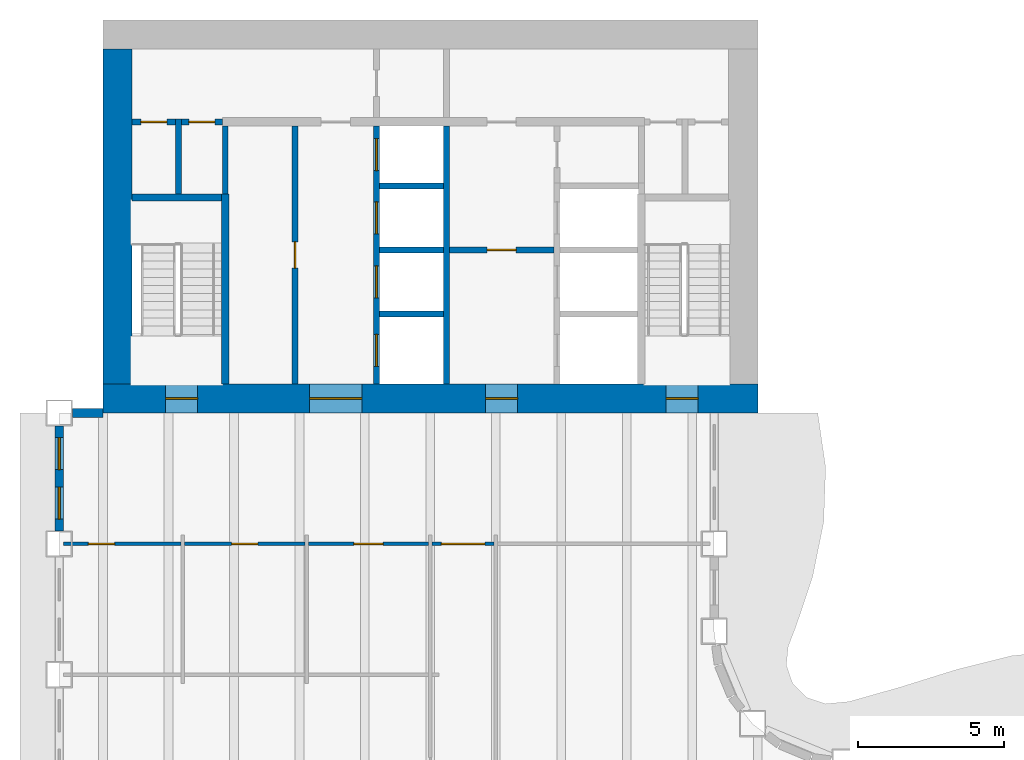
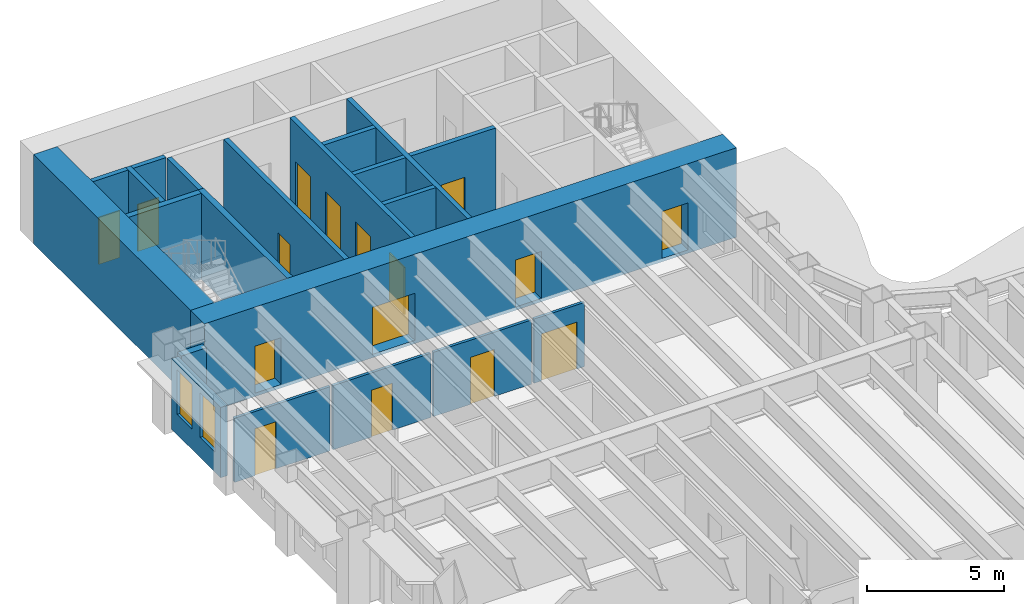
# One storey, part 8 of 16: 21 walls, 16 doors, 2 windows, 18 openings.
"""IFC4 building model written with IfcOpenShell, lengths in metres."""

from ifc_helpers import new_model, si_unit, direction, frame, frame_2d, origin, place, context, subcontext, project, spatial, rectangle, extrude, material, layer, layer_set, type_object, element, fill, save


model = new_model("IFC4")

# Units and contexts
model_context = context("Model", 3, precision=1e-05, world=origin(), true_north=direction((0.0, 1.0)))
body_context = subcontext(model_context, "Body", "Model", "MODEL_VIEW")
ifc_project = project(units=[si_unit("LENGTHUNIT", "METRE"), si_unit("AREAUNIT", "SQUARE_METRE"), si_unit("VOLUMEUNIT", "CUBIC_METRE"), si_unit("PLANEANGLEUNIT", "RADIAN"), si_unit("MASSUNIT", "GRAM", prefix="KILO")], contexts=[model_context])

# Site, building, storey
site_placement = place(None, origin())
site = spatial("IfcSite", under=ifc_project, at=site_placement, CompositionType="ELEMENT")
building_placement = place(site_placement, origin())
building = spatial("IfcBuilding", under=site, at=building_placement, Name="Sennacour Bend Tower", CompositionType="ELEMENT")
storey_placement = place(building_placement, frame((0.0, 0.0, 179.0)))
storey = spatial("IfcBuildingStorey", under=building, at=storey_placement, Name="L41", CompositionType="ELEMENT", Elevation=179.0)

# Wall, openings, doors
ifc_material_1 = material(Name="Concrete C60/75", Category="concrete")
ifc_layer_1 = layer(ifc_material_1, 1.0, Name="Concrete C60/75", Category="concrete")
ifc_layer_set_1 = layer_set([ifc_layer_1], Name="Concrete C60/75")
wall_type_1 = type_object("IfcWallType", Name="Core wall 1000 C60/75", PredefinedType="SHEAR", material=ifc_layer_set_1)
wall_1_placement = place(storey_placement, frame((0.0, 36.5, -0.14990234375), z_axis=(0.0, 0.0, 1.0), x_axis=(1.0, 0.0, 0.0)))
wall_1 = element("IfcWall", 1, at=wall_1_placement, inside=storey, type_object=wall_type_1, Name="Core B wall L41 S", PredefinedType="SHEAR", context=body_context, shape_type="SweptSolid", body=[
    extrude(rectangle(XDim=22.5, YDim=1.0, at=frame_2d((11.25, 0.0))), origin(), (0.0, 0.0, 1.0), 4.0),
])
opening_1_placement = place(wall_1_placement, frame((7.10009765625, 0.0, 0.14990234375)))
opening_1 = element("IfcOpeningElement", 2, at=opening_1_placement, cuts=wall_1, Name="Opening CD", PredefinedType="OPENING", context=body_context, shape_type="SweptSolid", body=[
    extrude(rectangle(XDim=1.800048828125, YDim=2.10009765625, at=frame_2d((0.89990234375, 1.050048828125))), frame((0.0, 0.510009765625, 0.0), z_axis=(0.0, -1.0, 0.0), x_axis=(1.0, 0.0, 0.0)), (0.0, 0.0, 1.0), 1.02001953125),
])
opening_2_placement = place(wall_1_placement, frame((13.14990234375, 0.0, 0.14990234375)))
opening_2 = element("IfcOpeningElement", 3, at=opening_2_placement, cuts=wall_1, Name="Opening FD", PredefinedType="OPENING", context=body_context, shape_type="SweptSolid", body=[
    extrude(rectangle(XDim=1.10009765625, YDim=2.10009765625, at=frame_2d((0.550048828125, 1.050048828125))), frame((0.0, 0.510009765625, 0.0), z_axis=(0.0, -1.0, 0.0), x_axis=(1.0, 0.0, 0.0)), (0.0, 0.0, 1.0), 1.02001953125),
])
opening_3_placement = place(wall_1_placement, frame((2.14990234375, 0.0, 0.14990234375)))
opening_3 = element("IfcOpeningElement", 4, at=opening_3_placement, cuts=wall_1, Name="Opening SD", PredefinedType="OPENING", context=body_context, shape_type="SweptSolid", body=[
    extrude(rectangle(XDim=1.10009765625, YDim=2.10009765625, at=frame_2d((0.550048828125, 1.050048828125))), frame((0.0, 0.510009765625, 0.0), z_axis=(0.0, -1.0, 0.0), x_axis=(1.0, 0.0, 0.0)), (0.0, 0.0, 1.0), 1.02001953125),
])
opening_4_placement = place(wall_1_placement, frame((19.35009765625, 0.0, 0.14990234375)))
opening_4 = element("IfcOpeningElement", 5, at=opening_4_placement, cuts=wall_1, Name="Opening SD", PredefinedType="OPENING", context=body_context, shape_type="SweptSolid", body=[
    extrude(rectangle(XDim=1.10009765625, YDim=2.10009765625, at=frame_2d((0.550048828125, 1.050048828125))), frame((0.0, 0.510009765625, 0.0), z_axis=(0.0, -1.0, 0.0), x_axis=(1.0, 0.0, 0.0)), (0.0, 0.0, 1.0), 1.02001953125),
])
ifc_material_2 = material(Name="Painted steel", Category="steel")
door_type_1 = type_object("IfcDoorType", Name="DR-FFL-1100", OperationType="NOTDEFINED", PredefinedType="DOOR", material=ifc_material_2)
door_1_placement = place(opening_2_placement, origin())
door_1 = element("IfcDoor", 6, at=door_1_placement, inside=storey, type_object=door_type_1, Name="Door", OperationType="SINGLE_SWING_RIGHT", OverallHeight=2.10009765625, OverallWidth=1.10009765625, PredefinedType="DOOR", context=body_context, shape_type="SweptSolid", body=[
    extrude(rectangle(XDim=1.10009765625, YDim=2.10009765625, at=frame_2d((0.550048828125, 1.050048828125))), frame((0.0, 0.02490234375, 0.0), z_axis=(0.0, -1.0, 0.0), x_axis=(1.0, 0.0, 0.0)), (0.0, 0.0, 1.0), 0.050048828125),
])
fill(opening_2, door_1)
door_type_2 = type_object("IfcDoorType", Name="DR-LOBBY-1800", OperationType="NOTDEFINED", PredefinedType="DOOR", material=ifc_material_2)
door_2_placement = place(opening_1_placement, origin())
door_2 = element("IfcDoor", 7, at=door_2_placement, inside=storey, type_object=door_type_2, Name="Door", OperationType="DOUBLE_DOOR_SINGLE_SWING", OverallHeight=2.10009765625, OverallWidth=1.800048828125, PredefinedType="DOOR", context=body_context, shape_type="SweptSolid", body=[
    extrude(rectangle(XDim=1.800048828125, YDim=2.10009765625, at=frame_2d((0.89990234375, 1.050048828125))), frame((0.0, 0.02490234375, 0.0), z_axis=(0.0, -1.0, 0.0), x_axis=(1.0, 0.0, 0.0)), (0.0, 0.0, 1.0), 0.050048828125),
])
fill(opening_1, door_2)
door_type_3 = type_object("IfcDoorType", Name="DR-STAIR-1100", OperationType="NOTDEFINED", PredefinedType="DOOR", material=ifc_material_2)
door_3_placement = place(opening_3_placement, origin())
door_3 = element("IfcDoor", 8, at=door_3_placement, inside=storey, type_object=door_type_3, Name="Door", OperationType="SINGLE_SWING_LEFT", OverallHeight=2.10009765625, OverallWidth=1.10009765625, PredefinedType="DOOR", context=body_context, shape_type="SweptSolid", body=[
    extrude(rectangle(XDim=1.10009765625, YDim=2.10009765625, at=frame_2d((0.550048828125, 1.050048828125))), frame((0.0, 0.02490234375, 0.0), z_axis=(0.0, -1.0, 0.0), x_axis=(1.0, 0.0, 0.0)), (0.0, 0.0, 1.0), 0.050048828125),
])
fill(opening_3, door_3)
door_4_placement = place(opening_4_placement, origin())
door_4 = element("IfcDoor", 9, at=door_4_placement, inside=storey, type_object=door_type_3, Name="Door", OperationType="SINGLE_SWING_RIGHT", OverallHeight=2.10009765625, OverallWidth=1.10009765625, PredefinedType="DOOR", context=body_context, shape_type="SweptSolid", body=[
    extrude(rectangle(XDim=1.10009765625, YDim=2.10009765625, at=frame_2d((0.550048828125, 1.050048828125))), frame((0.0, 0.02490234375, 0.0), z_axis=(0.0, -1.0, 0.0), x_axis=(1.0, 0.0, 0.0)), (0.0, 0.0, 1.0), 0.050048828125),
])
fill(opening_4, door_4)

# Wall
wall_2_placement = place(storey_placement, frame((0.5, 37.0, -0.14990234375), z_axis=(0.0, 0.0, 1.0), x_axis=(0.0, 1.0, 0.0)))
element("IfcWall", 10, at=wall_2_placement, inside=storey, type_object=wall_type_1, Name="Core B wall L41 W", PredefinedType="SHEAR", context=body_context, shape_type="SweptSolid", body=[
    extrude(rectangle(XDim=11.5, YDim=1.0, at=frame_2d((5.75, 0.0))), origin(), (0.0, 0.0, 1.0), 4.0),
])

# Wall, opening, door
ifc_material_3 = material(Name="Plasterboard partition on steel studs", Category="steel")
ifc_layer_2 = layer(ifc_material_3, 0.1201171875, Name="Plasterboard partition on steel studs", Category="steel")
ifc_layer_set_2 = layer_set([ifc_layer_2], Name="Plasterboard partition on steel studs")
wall_type_2 = type_object("IfcWallType", Name="Partition 120", PredefinedType="PARTITIONING", material=ifc_layer_set_2)
wall_3_placement = place(storey_placement, frame((-1.35009765625, 31.5, 0.0), z_axis=(0.0, 0.0, 1.0), x_axis=(1.0, 0.0, 0.0)))
wall_3 = element("IfcWall", 11, at=wall_3_placement, inside=storey, type_object=wall_type_2, Name="P-L41-W085aa", PredefinedType="PARTITIONING", context=body_context, shape_type="SweptSolid", body=[
    extrude(rectangle(XDim=4.0400390625, YDim=0.1201171875, at=frame_2d((2.02001953125, 0.0))), origin(), (0.0, 0.0, 1.0), 2.8701171875),
])
opening_5_placement = place(wall_3_placement, frame((0.85009765625, 0.0, 0.0)))
opening_5 = element("IfcOpeningElement", 12, at=opening_5_placement, cuts=wall_3, Name="Opening WD", PredefinedType="OPENING", context=body_context, shape_type="SweptSolid", body=[
    extrude(rectangle(XDim=0.89990234375, YDim=2.10009765625, at=frame_2d((0.449951171875, 1.050048828125))), frame((0.0, 0.070068359375, 0.0), z_axis=(0.0, -1.0, 0.0), x_axis=(1.0, 0.0, 0.0)), (0.0, 0.0, 1.0), 0.14013671875),
])
ifc_material_4 = material(Name="Timber", Category="wood")
door_type_4 = type_object("IfcDoorType", Name="DR-WC-900", OperationType="NOTDEFINED", PredefinedType="DOOR", material=ifc_material_4)
door_5_placement = place(opening_5_placement, origin())
door_5 = element("IfcDoor", 13, at=door_5_placement, inside=storey, type_object=door_type_4, Name="Door", OperationType="SINGLE_SWING_LEFT", OverallHeight=2.10009765625, OverallWidth=0.89990234375, PredefinedType="DOOR", context=body_context, shape_type="SweptSolid", body=[
    extrude(rectangle(XDim=0.89990234375, YDim=2.10009765625, at=frame_2d((0.449951171875, 1.050048828125))), frame((0.0, 0.02490234375, 0.0), z_axis=(0.0, -1.0, 0.0), x_axis=(1.0, 0.0, 0.0)), (0.0, 0.0, 1.0), 0.050048828125),
])
fill(opening_5, door_5)

wall_4_placement = place(storey_placement, frame((2.81005859375, 31.5, 0.0), z_axis=(0.0, 0.0, 1.0), x_axis=(1.0, 0.0, 0.0)))
wall_4 = element("IfcWall", 14, at=wall_4_placement, inside=storey, type_object=wall_type_2, Name="P-L41-W085ab", PredefinedType="PARTITIONING", context=body_context, shape_type="SweptSolid", body=[
    extrude(rectangle(XDim=4.1298828125, YDim=0.1201171875, at=frame_2d((2.06494140625, 0.0))), origin(), (0.0, 0.0, 1.0), 2.8701171875),
])
opening_6_placement = place(wall_4_placement, frame((1.614990234375, 0.0, 0.0)))
opening_6 = element("IfcOpeningElement", 15, at=opening_6_placement, cuts=wall_4, Name="Opening WD", PredefinedType="OPENING", context=body_context, shape_type="SweptSolid", body=[
    extrude(rectangle(XDim=0.89990234375, YDim=2.10009765625, at=frame_2d((0.449951171875, 1.050048828125))), frame((0.0, 0.070068359375, 0.0), z_axis=(0.0, -1.0, 0.0), x_axis=(1.0, 0.0, 0.0)), (0.0, 0.0, 1.0), 0.14013671875),
])
door_6_placement = place(opening_6_placement, origin())
door_6 = element("IfcDoor", 16, at=door_6_placement, inside=storey, type_object=door_type_4, Name="Door", OperationType="SINGLE_SWING_LEFT", OverallHeight=2.10009765625, OverallWidth=0.89990234375, PredefinedType="DOOR", context=body_context, shape_type="SweptSolid", body=[
    extrude(rectangle(XDim=0.89990234375, YDim=2.10009765625, at=frame_2d((0.449951171875, 1.050048828125))), frame((0.0, 0.02490234375, 0.0), z_axis=(0.0, -1.0, 0.0), x_axis=(1.0, 0.0, 0.0)), (0.0, 0.0, 1.0), 0.050048828125),
])
fill(opening_6, door_6)

wall_5_placement = place(storey_placement, frame((7.06005859375, 31.5, 0.0), z_axis=(0.0, 0.0, 1.0), x_axis=(1.0, 0.0, 0.0)))
wall_5 = element("IfcWall", 17, at=wall_5_placement, inside=storey, type_object=wall_type_2, Name="P-L41-W085ac", PredefinedType="PARTITIONING", context=body_context, shape_type="SweptSolid", body=[
    extrude(rectangle(XDim=4.1298828125, YDim=0.1201171875, at=frame_2d((2.06494140625, 0.0))), origin(), (0.0, 0.0, 1.0), 2.8701171875),
])
opening_7_placement = place(wall_5_placement, frame((1.56494140625, 0.0, 0.0)))
opening_7 = element("IfcOpeningElement", 18, at=opening_7_placement, cuts=wall_5, Name="Opening AD", PredefinedType="OPENING", context=body_context, shape_type="SweptSolid", body=[
    extrude(rectangle(XDim=1.0, YDim=2.10009765625, at=frame_2d((0.5, 1.050048828125))), frame((0.0, 0.070068359375, 0.0), z_axis=(0.0, -1.0, 0.0), x_axis=(1.0, 0.0, 0.0)), (0.0, 0.0, 1.0), 0.14013671875),
])
door_type_5 = type_object("IfcDoorType", Name="DR-ACC-WC-1000", OperationType="NOTDEFINED", PredefinedType="DOOR", material=ifc_material_4)
door_7_placement = place(opening_7_placement, origin())
door_7 = element("IfcDoor", 19, at=door_7_placement, inside=storey, type_object=door_type_5, Name="Door", OperationType="SINGLE_SWING_LEFT", OverallHeight=2.10009765625, OverallWidth=1.0, PredefinedType="DOOR", context=body_context, shape_type="SweptSolid", body=[
    extrude(rectangle(XDim=1.0, YDim=2.10009765625, at=frame_2d((0.5, 1.050048828125))), frame((0.0, 0.02490234375, 0.0), z_axis=(0.0, -1.0, 0.0), x_axis=(1.0, 0.0, 0.0)), (0.0, 0.0, 1.0), 0.050048828125),
])
fill(opening_7, door_7)

ifc_layer_3 = layer(ifc_material_3, 0.1201171875, Name="Plasterboard partition on steel studs", Category="steel")
ifc_layer_set_3 = layer_set([ifc_layer_3], Name="Plasterboard partition on steel studs")
wall_type_3 = type_object("IfcWallType", Name="Partition 120 EI 30", PredefinedType="PARTITIONING", material=ifc_layer_set_3)
wall_6_placement = place(storey_placement, frame((11.31005859375, 31.5, 0.0), z_axis=(0.0, 0.0, 1.0), x_axis=(1.0, 0.0, 0.0)))
wall_6 = element("IfcWall", 20, at=wall_6_placement, inside=storey, type_object=wall_type_3, Name="P-L41-W085ad", PredefinedType="PARTITIONING", context=body_context, shape_type="SweptSolid", body=[
    extrude(rectangle(XDim=2.1298828125, YDim=0.1201171875, at=frame_2d((1.06494140625, 0.0))), origin(), (0.0, 0.0, 1.0), 2.8701171875),
])
opening_8_placement = place(wall_6_placement, frame((0.31494140625, 0.0, 0.0)))
opening_8 = element("IfcOpeningElement", 21, at=opening_8_placement, cuts=wall_6, Name="Opening KD", PredefinedType="OPENING", context=body_context, shape_type="SweptSolid", body=[
    extrude(rectangle(XDim=1.5, YDim=2.10009765625, at=frame_2d((0.75, 1.050048828125))), frame((0.0, 0.070068359375, 0.0), z_axis=(0.0, -1.0, 0.0), x_axis=(1.0, 0.0, 0.0)), (0.0, 0.0, 1.0), 0.14013671875),
])
door_type_6 = type_object("IfcDoorType", Name="DR-CORRIDOR-1500", OperationType="NOTDEFINED", PredefinedType="DOOR", material=ifc_material_2)
door_8_placement = place(opening_8_placement, origin())
door_8 = element("IfcDoor", 22, at=door_8_placement, inside=storey, type_object=door_type_6, Name="Door", OperationType="SINGLE_SWING_LEFT", OverallHeight=2.10009765625, OverallWidth=1.5, PredefinedType="DOOR", context=body_context, shape_type="SweptSolid", body=[
    extrude(rectangle(XDim=1.5, YDim=2.10009765625, at=frame_2d((0.75, 1.050048828125))), frame((0.0, 0.02490234375, 0.0), z_axis=(0.0, -1.0, 0.0), x_axis=(1.0, 0.0, 0.0)), (0.0, 0.0, 1.0), 0.050048828125),
])
fill(opening_8, door_8)

# Walls
ifc_material_5 = material(Name="Fire-rated plasterboard partition on steel studs", Category="steel")
ifc_layer_4 = layer(ifc_material_5, 0.199951171875, Name="Fire-rated plasterboard partition on steel studs", Category="steel")
ifc_layer_set_4 = layer_set([ifc_layer_4], Name="Fire-rated plasterboard partition on steel studs")
wall_type_4 = type_object("IfcWallType", Name="Rated partition 200", PredefinedType="PARTITIONING", material=ifc_layer_set_4)
wall_7_placement = place(storey_placement, frame((2.60009765625, 43.52490234375, 0.0), z_axis=(0.0, 0.0, 1.0), x_axis=(0.0, 1.0, 0.0)))
element("IfcWall", 23, at=wall_7_placement, inside=storey, type_object=wall_type_4, Name="P-L41-W004", PredefinedType="PARTITIONING", context=body_context, shape_type="SweptSolid", body=[
    extrude(rectangle(XDim=2.5751953125, YDim=0.199951171875, at=frame_2d((1.28759765625, 0.0))), origin(), (0.0, 0.0, 1.0), 3.85009765625),
])
wall_8_placement = place(storey_placement, frame((4.199951171875, 43.52490234375, 0.0), z_axis=(0.0, 0.0, 1.0), x_axis=(0.0, 1.0, 0.0)))
element("IfcWall", 24, at=wall_8_placement, inside=storey, type_object=wall_type_4, Name="P-L41-W007", PredefinedType="PARTITIONING", context=body_context, shape_type="SweptSolid", body=[
    extrude(rectangle(XDim=2.3251953125, YDim=0.199951171875, at=frame_2d((1.16259765625, 0.0))), origin(), (0.0, 0.0, 1.0), 3.85009765625),
])

# Wall, opening, door
wall_9_placement = place(storey_placement, frame((6.60009765625, 37.0, 0.0), z_axis=(0.0, 0.0, 1.0), x_axis=(0.0, 1.0, 0.0)))
wall_9 = element("IfcWall", 25, at=wall_9_placement, inside=storey, type_object=wall_type_4, Name="P-L41-W008", PredefinedType="PARTITIONING", context=body_context, shape_type="SweptSolid", body=[
    extrude(rectangle(XDim=8.85009765625, YDim=0.199951171875, at=frame_2d((4.425048828125, 0.0))), origin(), (0.0, 0.0, 1.0), 3.85009765625),
])
opening_9_placement = place(wall_9_placement, frame((3.97509765625, 0.0, 0.0)))
opening_9 = element("IfcOpeningElement", 26, at=opening_9_placement, cuts=wall_9, Name="Opening SV", PredefinedType="OPENING", context=body_context, shape_type="SweptSolid", body=[
    extrude(rectangle(XDim=0.89990234375, YDim=2.10009765625, at=frame_2d((0.449951171875, 1.050048828125))), frame((0.0, 0.10986328125, 0.0), z_axis=(0.0, -1.0, 0.0), x_axis=(1.0, 0.0, 0.0)), (0.0, 0.0, 1.0), 0.219970703125),
])
door_type_7 = type_object("IfcDoorType", Name="DR-SERVICE-900", OperationType="NOTDEFINED", PredefinedType="DOOR", material=ifc_material_2)
door_9_placement = place(opening_9_placement, origin())
door_9 = element("IfcDoor", 27, at=door_9_placement, inside=storey, type_object=door_type_7, Name="Door", OperationType="SINGLE_SWING_LEFT", OverallHeight=2.10009765625, OverallWidth=0.89990234375, PredefinedType="DOOR", context=body_context, shape_type="SweptSolid", body=[
    extrude(rectangle(XDim=0.89990234375, YDim=2.10009765625, at=frame_2d((0.449951171875, 1.050048828125))), frame((0.0, 0.02490234375, 0.0), z_axis=(0.0, -1.0, 0.0), x_axis=(1.0, 0.0, 0.0)), (0.0, 0.0, 1.0), 0.050048828125),
])
fill(opening_9, door_9)

wall_10_placement = place(storey_placement, frame((1.0, 46.0, 0.0), z_axis=(0.0, 0.0, 1.0), x_axis=(1.0, 0.0, 0.0)))
wall_10 = element("IfcWall", 28, at=wall_10_placement, inside=storey, type_object=wall_type_4, Name="P-L41-W096a", PredefinedType="PARTITIONING", context=body_context, shape_type="SweptSolid", body=[
    extrude(rectangle(XDim=1.5, YDim=0.199951171875, at=frame_2d((0.75, 0.0))), origin(), (0.0, 0.0, 1.0), 3.85009765625),
])
opening_10_placement = place(wall_10_placement, frame((0.300048828125, 0.0, 0.0)))
opening_10 = element("IfcOpeningElement", 29, at=opening_10_placement, cuts=wall_10, Name="Opening SV", PredefinedType="OPENING", context=body_context, shape_type="SweptSolid", body=[
    extrude(rectangle(XDim=0.89990234375, YDim=2.10009765625, at=frame_2d((0.449951171875, 1.050048828125))), frame((0.0, 0.10986328125, 0.0), z_axis=(0.0, -1.0, 0.0), x_axis=(1.0, 0.0, 0.0)), (0.0, 0.0, 1.0), 0.219970703125),
])
door_10_placement = place(opening_10_placement, origin())
door_10 = element("IfcDoor", 30, at=door_10_placement, inside=storey, type_object=door_type_7, Name="Door", OperationType="SINGLE_SWING_LEFT", OverallHeight=2.10009765625, OverallWidth=0.89990234375, PredefinedType="DOOR", context=body_context, shape_type="SweptSolid", body=[
    extrude(rectangle(XDim=0.89990234375, YDim=2.10009765625, at=frame_2d((0.449951171875, 1.050048828125))), frame((0.0, 0.02490234375, 0.0), z_axis=(0.0, -1.0, 0.0), x_axis=(1.0, 0.0, 0.0)), (0.0, 0.0, 1.0), 0.050048828125),
])
fill(opening_10, door_10)

wall_11_placement = place(storey_placement, frame((2.699951171875, 46.0, 0.0), z_axis=(0.0, 0.0, 1.0), x_axis=(1.0, 0.0, 0.0)))
wall_11 = element("IfcWall", 31, at=wall_11_placement, inside=storey, type_object=wall_type_4, Name="P-L41-W096b", PredefinedType="PARTITIONING", context=body_context, shape_type="SweptSolid", body=[
    extrude(rectangle(XDim=1.400146484375, YDim=0.199951171875, at=frame_2d((0.7001953125, 0.0))), origin(), (0.0, 0.0, 1.0), 3.85009765625),
])
opening_11_placement = place(wall_11_placement, frame((0.25, 0.0, 0.0)))
opening_11 = element("IfcOpeningElement", 32, at=opening_11_placement, cuts=wall_11, Name="Opening WD", PredefinedType="OPENING", context=body_context, shape_type="SweptSolid", body=[
    extrude(rectangle(XDim=0.89990234375, YDim=2.10009765625, at=frame_2d((0.449951171875, 1.050048828125))), frame((0.0, 0.10986328125, 0.0), z_axis=(0.0, -1.0, 0.0), x_axis=(1.0, 0.0, 0.0)), (0.0, 0.0, 1.0), 0.219970703125),
])
door_11_placement = place(opening_11_placement, origin())
door_11 = element("IfcDoor", 33, at=door_11_placement, inside=storey, type_object=door_type_4, Name="Door", OperationType="SINGLE_SWING_LEFT", OverallHeight=2.10009765625, OverallWidth=0.89990234375, PredefinedType="DOOR", context=body_context, shape_type="SweptSolid", body=[
    extrude(rectangle(XDim=0.89990234375, YDim=2.10009765625, at=frame_2d((0.449951171875, 1.050048828125))), frame((0.0, 0.02490234375, 0.0), z_axis=(0.0, -1.0, 0.0), x_axis=(1.0, 0.0, 0.0)), (0.0, 0.0, 1.0), 0.050048828125),
])
fill(opening_11, door_11)

ifc_layer_5 = layer(ifc_material_5, 0.199951171875, Name="Fire-rated plasterboard partition on steel studs", Category="steel")
ifc_layer_set_5 = layer_set([ifc_layer_5], Name="Fire-rated plasterboard partition on steel studs")
wall_type_5 = type_object("IfcWallType", Name="Rated partition 200 EI 90", PredefinedType="PARTITIONING", material=ifc_layer_set_5)
wall_12_placement = place(storey_placement, frame((11.89990234375, 41.60009765625, 0.0), z_axis=(0.0, 0.0, 1.0), x_axis=(1.0, 0.0, 0.0)))
wall_12 = element("IfcWall", 34, at=wall_12_placement, inside=storey, type_object=wall_type_5, Name="P-L41-W090", PredefinedType="PARTITIONING", context=body_context, shape_type="SweptSolid", body=[
    extrude(rectangle(XDim=3.60009765625, YDim=0.199951171875, at=frame_2d((1.800048828125, 0.0))), origin(), (0.0, 0.0, 1.0), 3.85009765625),
])
opening_12_placement = place(wall_12_placement, frame((1.300048828125, 0.0, 0.0)))
opening_12 = element("IfcOpeningElement", 35, at=opening_12_placement, cuts=wall_12, Name="Opening FD2", PredefinedType="OPENING", context=body_context, shape_type="SweptSolid", body=[
    extrude(rectangle(XDim=1.0, YDim=2.10009765625, at=frame_2d((0.5, 1.050048828125))), frame((0.0, 0.10986328125, 0.0), z_axis=(0.0, -1.0, 0.0), x_axis=(1.0, 0.0, 0.0)), (0.0, 0.0, 1.0), 0.219970703125),
])
door_type_8 = type_object("IfcDoorType", Name="DR-FFL-1000", OperationType="NOTDEFINED", PredefinedType="DOOR", material=ifc_material_2)
door_12_placement = place(opening_12_placement, origin())
door_12 = element("IfcDoor", 36, at=door_12_placement, inside=storey, type_object=door_type_8, Name="Door", OperationType="SINGLE_SWING_RIGHT", OverallHeight=2.10009765625, OverallWidth=1.0, PredefinedType="DOOR", context=body_context, shape_type="SweptSolid", body=[
    extrude(rectangle(XDim=1.0, YDim=2.10009765625, at=frame_2d((0.5, 1.050048828125))), frame((0.0, 0.02490234375, 0.0), z_axis=(0.0, -1.0, 0.0), x_axis=(1.0, 0.0, 0.0)), (0.0, 0.0, 1.0), 0.050048828125),
])
fill(opening_12, door_12)

# Wall
ifc_material_6 = material(Name="Warm limestone cladding", Category="masonry")
ifc_layer_6 = layer(ifc_material_6, 0.050048828125, Name="Warm limestone cladding", Category="masonry")
ifc_material_7 = material(Name="Precast concrete C40/50", Category="concrete")
ifc_layer_7 = layer(ifc_material_7, 0.25, Name="Precast concrete C40/50", Category="concrete")
ifc_layer_set_6 = layer_set([ifc_layer_6, ifc_layer_7], Name="Precast concrete C40/50 with limestone cladding")
wall_type_6 = type_object("IfcWallType", Name="STONE-CLAD PRECAST SPANDREL 300", PredefinedType="STANDARD", material=ifc_layer_set_6)
wall_13_placement = place(storey_placement, frame((0.0, 36.0, 0.0), z_axis=(0.0, 0.0, 1.0), x_axis=(-1.0, 0.0, 0.0)))
element("IfcWall", 37, at=wall_13_placement, inside=storey, type_object=wall_type_6, Name="Stone spandrel and pier wall L41 20.00", PredefinedType="STANDARD", context=body_context, shape_type="SweptSolid", body=[
    extrude(rectangle(XDim=1.050048828125, YDim=0.300048828125, at=frame_2d((0.52490234375, 0.0))), origin(), (0.0, 0.0, 1.0), 2.8701171875),
])

# Wall, openings, windows
wall_14_placement = place(storey_placement, frame((-1.5, 35.550048828125, 0.0), z_axis=(0.0, 0.0, 1.0), x_axis=(0.0, -1.0, 0.0)))
wall_14 = element("IfcWall", 38, at=wall_14_placement, inside=storey, type_object=wall_type_6, Name="Stone spandrel and pier wall L41 21.00", PredefinedType="STANDARD", context=body_context, shape_type="SweptSolid", body=[
    extrude(rectangle(XDim=3.60009765625, YDim=0.300048828125, at=frame_2d((1.800048828125, 0.0))), origin(), (0.0, 0.0, 1.0), 3.14892578125),
])
opening_13_placement = place(wall_14_placement, frame((0.39990234375, 0.0, 0.89990234375)))
opening_13 = element("IfcOpeningElement", 39, at=opening_13_placement, cuts=wall_14, Name="Opening W19", PredefinedType="OPENING", context=body_context, shape_type="SweptSolid", body=[
    extrude(rectangle(XDim=1.10009765625, YDim=2.0, at=frame_2d((0.550048828125, 1.0))), frame((0.0, 0.16015625, 0.0), z_axis=(0.0, -1.0, 0.0), x_axis=(1.0, 0.0, 0.0)), (0.0, 0.0, 1.0), 0.320068359375),
])
opening_14_placement = place(wall_14_placement, frame((2.10009765625, 0.0, 0.89990234375)))
opening_14 = element("IfcOpeningElement", 40, at=opening_14_placement, cuts=wall_14, Name="Opening W19", PredefinedType="OPENING", context=body_context, shape_type="SweptSolid", body=[
    extrude(rectangle(XDim=1.10009765625, YDim=2.0, at=frame_2d((0.550048828125, 1.0))), frame((0.0, 0.16015625, 0.0), z_axis=(0.0, -1.0, 0.0), x_axis=(1.0, 0.0, 0.0)), (0.0, 0.0, 1.0), 0.320068359375),
])
ifc_material_8 = material(Name="Clear low-emissivity glass", Category="glass")
window_type = type_object("IfcWindowType", Name="WIN-RIBBON-1100x2000", PartitioningType="SINGLE_PANEL", PredefinedType="WINDOW", material=ifc_material_8)
window_1_placement = place(opening_13_placement, origin())
window_1 = element("IfcWindow", 41, at=window_1_placement, inside=storey, type_object=window_type, Name="Ribbon window L41 21.00.0", OverallHeight=2.0, OverallWidth=1.10009765625, PartitioningType="SINGLE_PANEL", PredefinedType="WINDOW", context=body_context, shape_type="SweptSolid", body=[
    extrude(rectangle(XDim=1.10009765625, YDim=2.0, at=frame_2d((0.550048828125, 1.0))), frame((0.0, 0.030029296875, 0.0), z_axis=(0.0, -1.0, 0.0), x_axis=(1.0, 0.0, 0.0)), (0.0, 0.0, 1.0), 0.06005859375),
])
fill(opening_13, window_1)
window_2_placement = place(opening_14_placement, origin())
window_2 = element("IfcWindow", 42, at=window_2_placement, inside=storey, type_object=window_type, Name="Ribbon window L41 21.00.1", OverallHeight=2.0, OverallWidth=1.10009765625, PartitioningType="SINGLE_PANEL", PredefinedType="WINDOW", context=body_context, shape_type="SweptSolid", body=[
    extrude(rectangle(XDim=1.10009765625, YDim=2.0, at=frame_2d((0.550048828125, 1.0))), frame((0.0, 0.030029296875, 0.0), z_axis=(0.0, -1.0, 0.0), x_axis=(1.0, 0.0, 0.0)), (0.0, 0.0, 1.0), 0.06005859375),
])
fill(opening_14, window_2)

# Wall, openings, doors
ifc_material_9 = material(Name="Concrete C50/60", Category="concrete")
ifc_layer_8 = layer(ifc_material_9, 0.199951171875, Name="Concrete C50/60", Category="concrete")
ifc_layer_set_7 = layer_set([ifc_layer_8], Name="Concrete C50/60")
wall_type_7 = type_object("IfcWallType", Name="Shaft wall 200", PredefinedType="SOLIDWALL", material=ifc_layer_set_7)
wall_15_placement = place(storey_placement, frame((9.39990234375, 37.0, 0.0), z_axis=(0.0, 0.0, 1.0), x_axis=(0.0, 1.0, 0.0)))
wall_15 = element("IfcWall", 43, at=wall_15_placement, inside=storey, type_object=wall_type_7, Name="P-L41-W011", PredefinedType="SOLIDWALL", context=body_context, shape_type="SweptSolid", body=[
    extrude(rectangle(XDim=8.85009765625, YDim=0.199951171875, at=frame_2d((4.425048828125, 0.0))), origin(), (0.0, 0.0, 1.0), 3.85009765625),
])
opening_15_placement = place(wall_15_placement, frame((0.60009765625, 0.0, 0.011962890625)))
opening_15 = element("IfcOpeningElement", 44, at=opening_15_placement, cuts=wall_15, Name="Opening LD", PredefinedType="OPENING", context=body_context, shape_type="SweptSolid", body=[
    extrude(rectangle(XDim=1.10009765625, YDim=2.10009765625, at=frame_2d((0.550048828125, 1.050048828125))), frame((0.0, 0.10986328125, 0.0), z_axis=(0.0, -1.0, 0.0), x_axis=(1.0, 0.0, 0.0)), (0.0, 0.0, 1.0), 0.219970703125),
])
opening_16_placement = place(wall_15_placement, frame((2.949951171875, 0.0, 0.011962890625)))
opening_16 = element("IfcOpeningElement", 45, at=opening_16_placement, cuts=wall_15, Name="Opening LD", PredefinedType="OPENING", context=body_context, shape_type="SweptSolid", body=[
    extrude(rectangle(XDim=1.10009765625, YDim=2.10009765625, at=frame_2d((0.550048828125, 1.050048828125))), frame((0.0, 0.10986328125, 0.0), z_axis=(0.0, -1.0, 0.0), x_axis=(1.0, 0.0, 0.0)), (0.0, 0.0, 1.0), 0.219970703125),
])
opening_17_placement = place(wall_15_placement, frame((5.14990234375, 0.0, 0.011962890625)))
opening_17 = element("IfcOpeningElement", 46, at=opening_17_placement, cuts=wall_15, Name="Opening LD", PredefinedType="OPENING", context=body_context, shape_type="SweptSolid", body=[
    extrude(rectangle(XDim=1.10009765625, YDim=2.10009765625, at=frame_2d((0.550048828125, 1.050048828125))), frame((0.0, 0.10986328125, 0.0), z_axis=(0.0, -1.0, 0.0), x_axis=(1.0, 0.0, 0.0)), (0.0, 0.0, 1.0), 0.219970703125),
])
opening_18_placement = place(wall_15_placement, frame((7.324951171875, 0.0, 0.011962890625)))
opening_18 = element("IfcOpeningElement", 47, at=opening_18_placement, cuts=wall_15, Name="Opening LD", PredefinedType="OPENING", context=body_context, shape_type="SweptSolid", body=[
    extrude(rectangle(XDim=1.10009765625, YDim=2.10009765625, at=frame_2d((0.550048828125, 1.050048828125))), frame((0.0, 0.10986328125, 0.0), z_axis=(0.0, -1.0, 0.0), x_axis=(1.0, 0.0, 0.0)), (0.0, 0.0, 1.0), 0.219970703125),
])
ifc_material_10 = material(Name="Stainless steel", Category="steel")
door_type_9 = type_object("IfcDoorType", Name="DR-LANDING-1100", OperationType="NOTDEFINED", PredefinedType="DOOR", material=ifc_material_10)
door_13_placement = place(opening_15_placement, origin())
door_13 = element("IfcDoor", 48, at=door_13_placement, inside=storey, type_object=door_type_9, Name="Lift landing door MB1", OperationType="SLIDING_TO_RIGHT", OverallHeight=2.10009765625, OverallWidth=1.10009765625, PredefinedType="DOOR", context=body_context, shape_type="SweptSolid", body=[
    extrude(rectangle(XDim=1.10009765625, YDim=2.10009765625, at=frame_2d((0.550048828125, 1.050048828125))), frame((0.0, 0.02490234375, 0.0), z_axis=(0.0, -1.0, 0.0), x_axis=(1.0, 0.0, 0.0)), (0.0, 0.0, 1.0), 0.050048828125),
])
fill(opening_15, door_13)
door_14_placement = place(opening_16_placement, origin())
door_14 = element("IfcDoor", 49, at=door_14_placement, inside=storey, type_object=door_type_9, Name="Lift landing door MB2", OperationType="SLIDING_TO_LEFT", OverallHeight=2.10009765625, OverallWidth=1.10009765625, PredefinedType="DOOR", context=body_context, shape_type="SweptSolid", body=[
    extrude(rectangle(XDim=1.10009765625, YDim=2.10009765625, at=frame_2d((0.550048828125, 1.050048828125))), frame((0.0, 0.02490234375, 0.0), z_axis=(0.0, -1.0, 0.0), x_axis=(1.0, 0.0, 0.0)), (0.0, 0.0, 1.0), 0.050048828125),
])
fill(opening_16, door_14)
door_15_placement = place(opening_17_placement, origin())
door_15 = element("IfcDoor", 50, at=door_15_placement, inside=storey, type_object=door_type_9, Name="Lift landing door MB3", OperationType="SLIDING_TO_RIGHT", OverallHeight=2.10009765625, OverallWidth=1.10009765625, PredefinedType="DOOR", context=body_context, shape_type="SweptSolid", body=[
    extrude(rectangle(XDim=1.10009765625, YDim=2.10009765625, at=frame_2d((0.550048828125, 1.050048828125))), frame((0.0, 0.02490234375, 0.0), z_axis=(0.0, -1.0, 0.0), x_axis=(1.0, 0.0, 0.0)), (0.0, 0.0, 1.0), 0.050048828125),
])
fill(opening_17, door_15)
door_16_placement = place(opening_18_placement, origin())
door_16 = element("IfcDoor", 51, at=door_16_placement, inside=storey, type_object=door_type_9, Name="Lift landing door MB4", OperationType="SLIDING_TO_LEFT", OverallHeight=2.10009765625, OverallWidth=1.10009765625, PredefinedType="DOOR", context=body_context, shape_type="SweptSolid", body=[
    extrude(rectangle(XDim=1.10009765625, YDim=2.10009765625, at=frame_2d((0.550048828125, 1.050048828125))), frame((0.0, 0.02490234375, 0.0), z_axis=(0.0, -1.0, 0.0), x_axis=(1.0, 0.0, 0.0)), (0.0, 0.0, 1.0), 0.050048828125),
])
fill(opening_18, door_16)

# Walls
wall_16_placement = place(storey_placement, frame((11.800048828125, 37.0, 0.0), z_axis=(0.0, 0.0, 1.0), x_axis=(0.0, 1.0, 0.0)))
element("IfcWall", 52, at=wall_16_placement, inside=storey, type_object=wall_type_7, Name="P-L41-W014", PredefinedType="SOLIDWALL", context=body_context, shape_type="SweptSolid", body=[
    extrude(rectangle(XDim=8.85009765625, YDim=0.199951171875, at=frame_2d((4.425048828125, 0.0))), origin(), (0.0, 0.0, 1.0), 3.85009765625),
])
for number, where, z_axis, x_axis, name in (
    (53, (9.5, 39.39990234375, 0.0), (0.0, 0.0, 1.0), (1.0, 0.0, 0.0), "P-L41-W087"),
    (54, (9.5, 41.60009765625, 0.0), (0.0, 0.0, 1.0), (1.0, 0.0, 0.0), "P-L41-W089"),
    (55, (9.5, 43.800048828125, 0.0), (0.0, 0.0, 1.0), (1.0, 0.0, 0.0), "P-L41-W094"),
):
    element("IfcWall", number, at=place(storey_placement, frame(where, z_axis=z_axis, x_axis=x_axis)), inside=storey, type_object=wall_type_7, Name=name, PredefinedType="SOLIDWALL", context=body_context, shape_type="SweptSolid", body=[
        extrude(rectangle(XDim=2.199951171875, YDim=0.199951171875, at=frame_2d((1.10009765625, 0.0))), origin(), (0.0, 0.0, 1.0), 3.85009765625),
    ])
ifc_layer_9 = layer(ifc_material_1, 0.25, Name="Concrete C60/75", Category="concrete")
ifc_layer_set_8 = layer_set([ifc_layer_9], Name="Concrete C60/75")
wall_type_8 = type_object("IfcWallType", Name="Stair wall 250", PredefinedType="SHEAR", material=ifc_layer_set_8)
wall_17_placement = place(storey_placement, frame((4.199951171875, 37.0, 0.0), z_axis=(0.0, 0.0, 1.0), x_axis=(0.0, 1.0, 0.0)))
element("IfcWall", 56, at=wall_17_placement, inside=storey, type_object=wall_type_8, Name="P-L41-W006", PredefinedType="SHEAR", context=body_context, shape_type="SweptSolid", body=[
    extrude(rectangle(XDim=6.52490234375, YDim=0.25, at=frame_2d((3.262451171875, 0.0))), origin(), (0.0, 0.0, 1.0), 3.85009765625),
])
wall_18_placement = place(storey_placement, frame((1.0, 43.39990234375, 0.0), z_axis=(0.0, 0.0, 1.0), x_axis=(1.0, 0.0, 0.0)))
element("IfcWall", 57, at=wall_18_placement, inside=storey, type_object=wall_type_8, Name="P-L41-W092", PredefinedType="SHEAR", context=body_context, shape_type="SweptSolid", body=[
    extrude(rectangle(XDim=3.074951171875, YDim=0.25, at=frame_2d((1.53759765625, 0.0))), origin(), (0.0, 0.0, 1.0), 3.85009765625),
])

save(model, "model.ifc")
